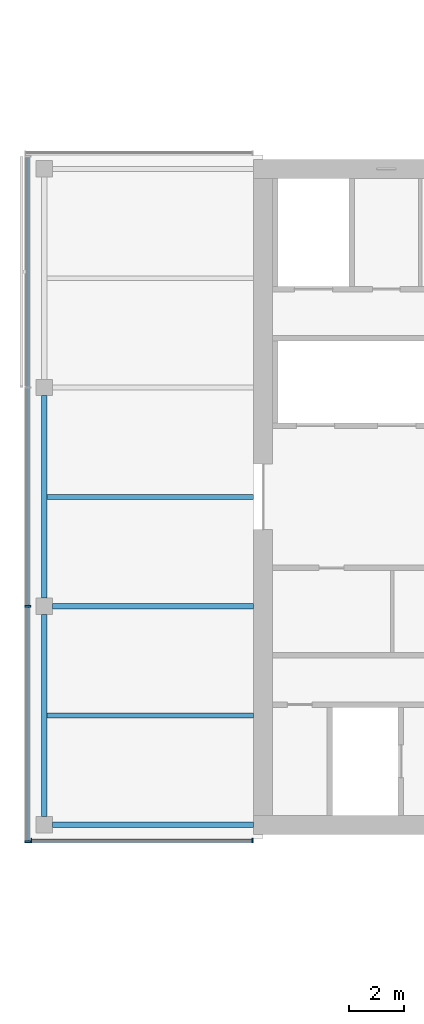
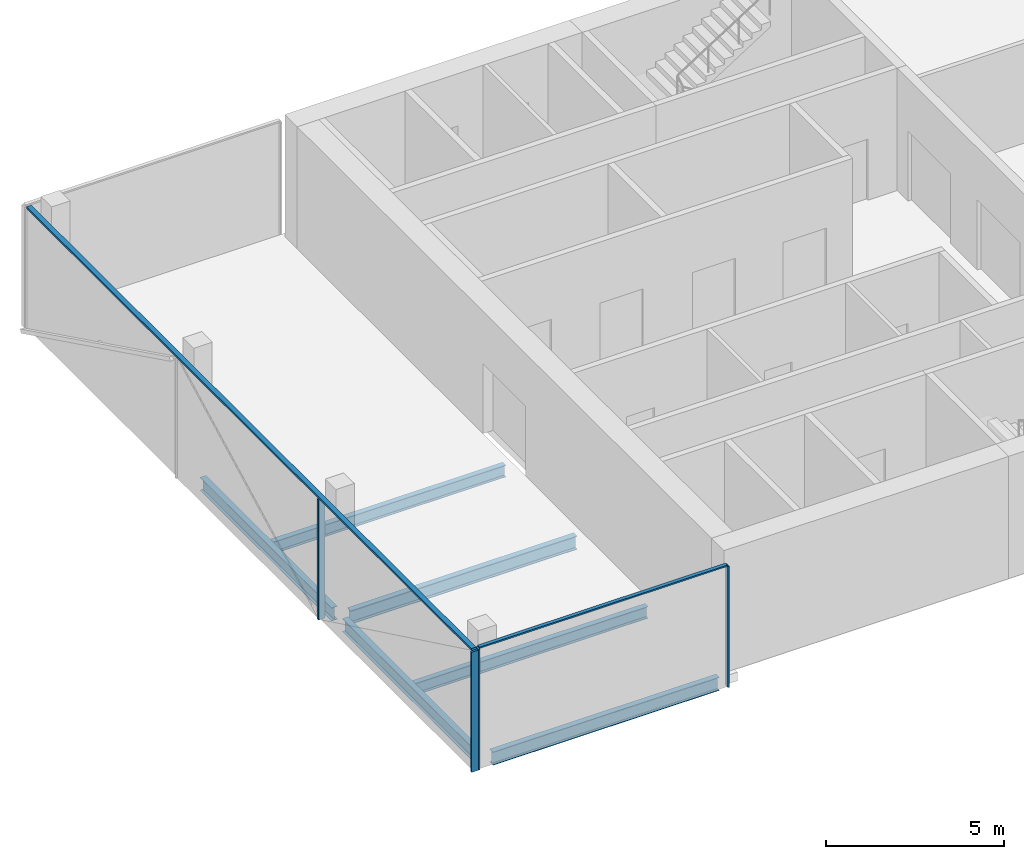
# One storey, part 3 of 22: 6 beams, 6 members, 2 elements without a shape of their own.
"""IFC4 building model written with IfcOpenShell, lengths in metres."""

from ifc_helpers import new_model, si_unit, direction, frame, origin, origin_2d, place, context, subcontext, project, spatial, rectangle, i_section, extrude, material, material_profile, profile_set, type_object, element, aggregate, save


model = new_model("IFC4")

# Units and contexts
model_context = context("Model", 3, precision=1e-05, world=origin(), true_north=direction((0.0, 1.0)))
body_context = subcontext(model_context, "Body", "Model", "MODEL_VIEW")
ifc_project = project(units=[si_unit("LENGTHUNIT", "METRE"), si_unit("AREAUNIT", "SQUARE_METRE"), si_unit("VOLUMEUNIT", "CUBIC_METRE"), si_unit("PLANEANGLEUNIT", "RADIAN"), si_unit("MASSUNIT", "GRAM", prefix="KILO")], contexts=[model_context])

# Site, building, storey
site_placement = place(None, origin())
site = spatial("IfcSite", under=ifc_project, at=site_placement, CompositionType="ELEMENT")
building_placement = place(site_placement, origin())
building = spatial("IfcBuilding", under=site, at=building_placement, Name="Crosswind Convention Tower", CompositionType="ELEMENT")
storey_placement = place(building_placement, frame((0.0, 0.0, 142.10009765625)))
storey = spatial("IfcBuildingStorey", under=building, at=storey_placement, Name="L29", CompositionType="ELEMENT", Elevation=142.10009765625)

# Beams
ifc_material_1 = material(Name="Steel S355", Category="steel")
ifc_material_profile_1 = material_profile(ifc_material_1, i_section(OverallWidth=0.18994140625, OverallDepth=0.45361328125, WebThickness=0.008544921875, FlangeThickness=0.0126953125, FilletRadius=0.01025390625, at=origin_2d()), Name="UB 457x191x67")
ifc_profile_set_1 = profile_set([ifc_material_profile_1], Name="Steel S355")
beam_type_1 = type_object("IfcBeamType", Name="Edge beam UB 457x191x67", PredefinedType="SPANDREL", material=ifc_profile_set_1)
for number, where, z_axis, x_axis, name in (
    (1, (89.0, 88.300048828125, -0.52685546875), (0.0, 1.0, 0.0), (-1.0, 0.0, 0.0), "B16 L29 edge beam 1"),
    (2, (89.0, 96.300048828125, -0.52685546875), (0.0, 1.0, 0.0), (-1.0, 0.0, 0.0), "B16 L29 edge beam 2"),
):
    element("IfcBeam", number, at=place(storey_placement, frame(where, z_axis=z_axis, x_axis=x_axis)), inside=storey, type_object=beam_type_1, Name=name, PredefinedType="SPANDREL", context=body_context, shape_type="SweptSolid", body=[
        extrude(i_section(OverallWidth=0.18994140625, OverallDepth=0.45361328125, WebThickness=0.008544921875, FlangeThickness=0.0126953125, FilletRadius=0.01025390625, at=origin_2d()), origin(), (0.0, 0.0, 1.0), 7.39990234375),
    ])
beam_1_placement = place(storey_placement, frame((89.300048828125, 88.0, -0.52685546875), z_axis=(1.0, 0.0, 0.0), x_axis=(0.0, 1.0, 0.0)))
element("IfcBeam", 3, at=beam_1_placement, inside=storey, type_object=beam_type_1, Name="B16 L29 edge beam 4", PredefinedType="SPANDREL", context=body_context, shape_type="SweptSolid", body=[
    extrude(i_section(OverallWidth=0.18994140625, OverallDepth=0.45361328125, WebThickness=0.008544921875, FlangeThickness=0.0126953125, FilletRadius=0.01025390625, at=origin_2d()), origin(), (0.0, 0.0, 1.0), 7.349853515625),
])
ifc_material_profile_2 = material_profile(ifc_material_1, i_section(OverallWidth=0.19189453125, OverallDepth=0.463623046875, WebThickness=0.010498046875, FlangeThickness=0.017578125, FilletRadius=0.01025390625, at=origin_2d()), Name="UB 457x191x90")
ifc_profile_set_2 = profile_set([ifc_material_profile_2], Name="Steel S355")
beam_type_2 = type_object("IfcBeamType", Name="Girder at core wall UB 457x191x90", PredefinedType="BEAM", material=ifc_profile_set_2)
beam_2_placement = place(storey_placement, frame((89.300048828125, 96.0, -0.531982421875), z_axis=(1.0, 0.0, 0.0), x_axis=(0.0, 1.0, 0.0)))
element("IfcBeam", 4, at=beam_2_placement, inside=storey, type_object=beam_type_2, Name="B24 L29 girder at core wall 1", PredefinedType="BEAM", context=body_context, shape_type="SweptSolid", body=[
    extrude(i_section(OverallWidth=0.19189453125, OverallDepth=0.463623046875, WebThickness=0.010498046875, FlangeThickness=0.017578125, FilletRadius=0.01025390625, at=origin_2d()), origin(), (0.0, 0.0, 1.0), 7.349853515625),
])

# Curtain wall, members
ifc_material_2 = material(Name="Aluminium unitised curtain wall", Category="aluminium")
curtain_wall_type_1 = type_object("IfcCurtainWallType", Name="CORE END SLOT WALL 160", PredefinedType="USERDEFINED", material=ifc_material_2)
curtain_wall_1_placement = place(storey_placement, origin())
curtain_wall_1 = element("IfcCurtainWall", 5, at=curtain_wall_1_placement, inside=storey, type_object=curtain_wall_type_1, Name="CW6 L29 W-S.1-1 slot", ObjectType="UNITISED", PredefinedType="USERDEFINED")
ifc_material_3 = material(Name="Aluminium mullion", Category="aluminium")
ifc_material_profile_3 = material_profile(ifc_material_3, rectangle(XDim=0.159912109375, YDim=0.050048828125, at=origin_2d()), Name="AL 160X50")
ifc_profile_set_3 = profile_set([ifc_material_profile_3], Name="Aluminium mullion")
member_type_1 = type_object("IfcMemberType", Name="MULLION 50X160", PredefinedType="MULLION", material=ifc_profile_set_3)
member_1_placement = place(storey_placement, frame((88.52490234375, 87.419921875, -0.300048828125), z_axis=(0.0, 0.0, 1.0), x_axis=(0.0, -1.0, 0.0)))
member_1 = element("IfcMember", 6, at=member_1_placement, type_object=member_type_1, Name="CW6 mullion 1", PredefinedType="MULLION", context=body_context, shape_type="SweptSolid", body=[
    extrude(rectangle(XDim=0.159912109375, YDim=0.050048828125, at=origin_2d()), origin(), (0.0, 0.0, 1.0), 4.14990234375),
])
member_2_placement = place(storey_placement, frame((96.625, 87.419921875, -0.300048828125), z_axis=(0.0, 0.0, 1.0), x_axis=(0.0, -1.0, 0.0)))
member_2 = element("IfcMember", 7, at=member_2_placement, type_object=member_type_1, Name="CW6 mullion 2", PredefinedType="MULLION", context=body_context, shape_type="SweptSolid", body=[
    extrude(rectangle(XDim=0.159912109375, YDim=0.050048828125, at=origin_2d()), origin(), (0.0, 0.0, 1.0), 4.14990234375),
])

curtain_wall_type_2 = type_object("IfcCurtainWallType", Name="OFFICE UNITISED WALL 220", PredefinedType="USERDEFINED", material=ifc_material_2)
curtain_wall_2_placement = place(storey_placement, origin())
curtain_wall_2 = element("IfcCurtainWall", 8, at=curtain_wall_2_placement, inside=storey, type_object=curtain_wall_type_2, Name="CW3 L29 W-TIP 1", ObjectType="UNITISED", PredefinedType="USERDEFINED")
ifc_material_profile_4 = material_profile(ifc_material_3, rectangle(XDim=0.219970703125, YDim=0.070068359375, at=origin_2d()), Name="AL 220X70")
ifc_profile_set_4 = profile_set([ifc_material_profile_4], Name="Aluminium mullion")
member_type_2 = type_object("IfcMemberType", Name="MULLION 70X220", PredefinedType="MULLION", material=ifc_profile_set_4)
member_3_placement = place(storey_placement, frame((88.389892578125, 96.0, -0.300048828125), z_axis=(0.0, 0.0, 1.0), x_axis=(-1.0, 0.0, 0.0)))
member_3 = element("IfcMember", 9, at=member_3_placement, type_object=member_type_2, Name="CW3 mullion 3", PredefinedType="MULLION", context=body_context, shape_type="SweptSolid", body=[
    extrude(rectangle(XDim=0.219970703125, YDim=0.070068359375, at=origin_2d()), origin(), (0.0, 0.0, 1.0), 4.1298828125),
])
member_4_placement = place(storey_placement, frame((88.389892578125, 87.375, -0.300048828125), z_axis=(0.0, 0.0, 1.0), x_axis=(-1.0, 0.0, 0.0)))
member_4 = element("IfcMember", 10, at=member_4_placement, type_object=member_type_2, Name="CW3 mullion 4", PredefinedType="MULLION", context=body_context, shape_type="SweptSolid", body=[
    extrude(rectangle(XDim=0.219970703125, YDim=0.070068359375, at=origin_2d()), origin(), (0.0, 0.0, 1.0), 4.1298828125),
])

# Beams
ifc_material_profile_5 = material_profile(ifc_material_1, i_section(OverallWidth=0.177734375, OverallDepth=0.406494140625, WebThickness=0.0078125, FlangeThickness=0.0126953125, FilletRadius=0.01025390625, at=origin_2d()), Name="UB 406x178x60")
ifc_profile_set_5 = profile_set([ifc_material_profile_5], Name="Steel S355")
beam_type_3 = type_object("IfcBeamType", Name="Secondary beam UB 406x178x60", PredefinedType="JOIST", material=ifc_profile_set_5)
for number, where, z_axis, x_axis, name in (
    (11, (89.094970703125, 92.0, -0.50341796875), (1.0, 0.0, 0.0), (0.0, 1.0, 0.0), "B10 L29 secondary beam 1"),
    (12, (89.094970703125, 100.0, -0.50341796875), (1.0, 0.0, 0.0), (0.0, 1.0, 0.0), "B10 L29 secondary beam 2"),
):
    element("IfcBeam", number, at=place(storey_placement, frame(where, z_axis=z_axis, x_axis=x_axis)), inside=storey, type_object=beam_type_3, Name=name, PredefinedType="JOIST", context=body_context, shape_type="SweptSolid", body=[
        extrude(i_section(OverallWidth=0.177734375, OverallDepth=0.406494140625, WebThickness=0.0078125, FlangeThickness=0.0126953125, FilletRadius=0.01025390625, at=origin_2d()), origin(), (0.0, 0.0, 1.0), 7.554931640625),
    ])

# Member
ifc_material_4 = material(Name="Aluminium transom", Category="aluminium")
ifc_material_profile_6 = material_profile(ifc_material_4, rectangle(XDim=0.1201171875, YDim=0.050048828125, at=origin_2d()), Name="AL 120X50")
ifc_profile_set_6 = profile_set([ifc_material_profile_6], Name="Aluminium transom")
member_type_3 = type_object("IfcMemberType", Name="TRANSOM 50X120", PredefinedType="USERDEFINED", material=ifc_profile_set_6)
member_5_placement = place(storey_placement, frame((88.550048828125, 87.419921875, 3.875), z_axis=(1.0, 0.0, 0.0), x_axis=(0.0, 1.0, 0.0)))
member_5 = element("IfcMember", 13, at=member_5_placement, type_object=member_type_3, Name="CW6 transom", ObjectType="TRANSOM", PredefinedType="USERDEFINED", context=body_context, shape_type="SweptSolid", body=[
    extrude(rectangle(XDim=0.1201171875, YDim=0.050048828125, at=origin_2d()), origin(), (0.0, 0.0, 1.0), 8.050048828125),
])

aggregate(curtain_wall_1, [member_1, member_2, member_5])

ifc_material_profile_7 = material_profile(ifc_material_4, rectangle(XDim=0.159912109375, YDim=0.070068359375, at=origin_2d()), Name="AL 160X70")
ifc_profile_set_7 = profile_set([ifc_material_profile_7], Name="Aluminium transom")
member_type_4 = type_object("IfcMemberType", Name="TRANSOM 70X160", PredefinedType="USERDEFINED", material=ifc_profile_set_7)
member_6_placement = place(storey_placement, frame((88.389892578125, 112.429931640625, 3.864990234375), z_axis=(0.0, -1.0, 0.0), x_axis=(1.0, 0.0, 0.0)))
member_6 = element("IfcMember", 14, at=member_6_placement, type_object=member_type_4, Name="CW3 transom", ObjectType="TRANSOM", PredefinedType="USERDEFINED", context=body_context, shape_type="SweptSolid", body=[
    extrude(rectangle(XDim=0.159912109375, YDim=0.070068359375, at=origin_2d()), origin(), (0.0, 0.0, 1.0), 25.02001953125),
])

aggregate(curtain_wall_2, [member_3, member_4, member_6])

save(model, "model.ifc")
